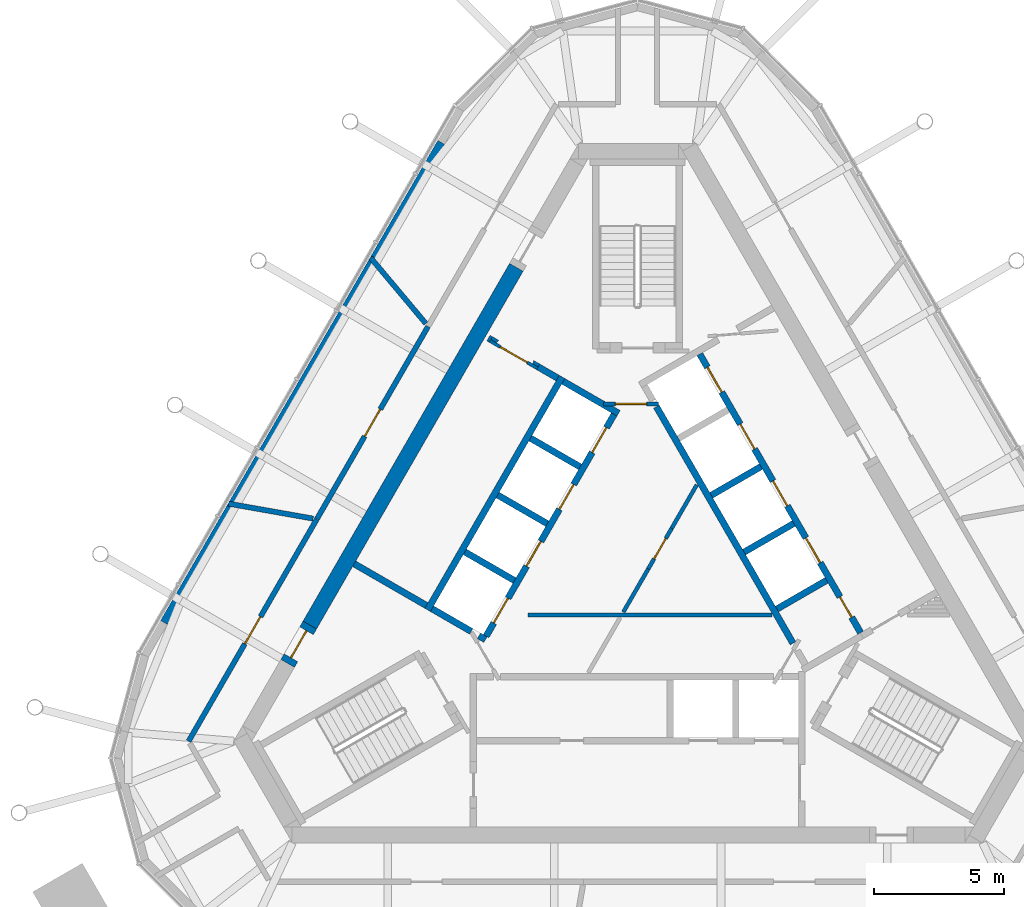
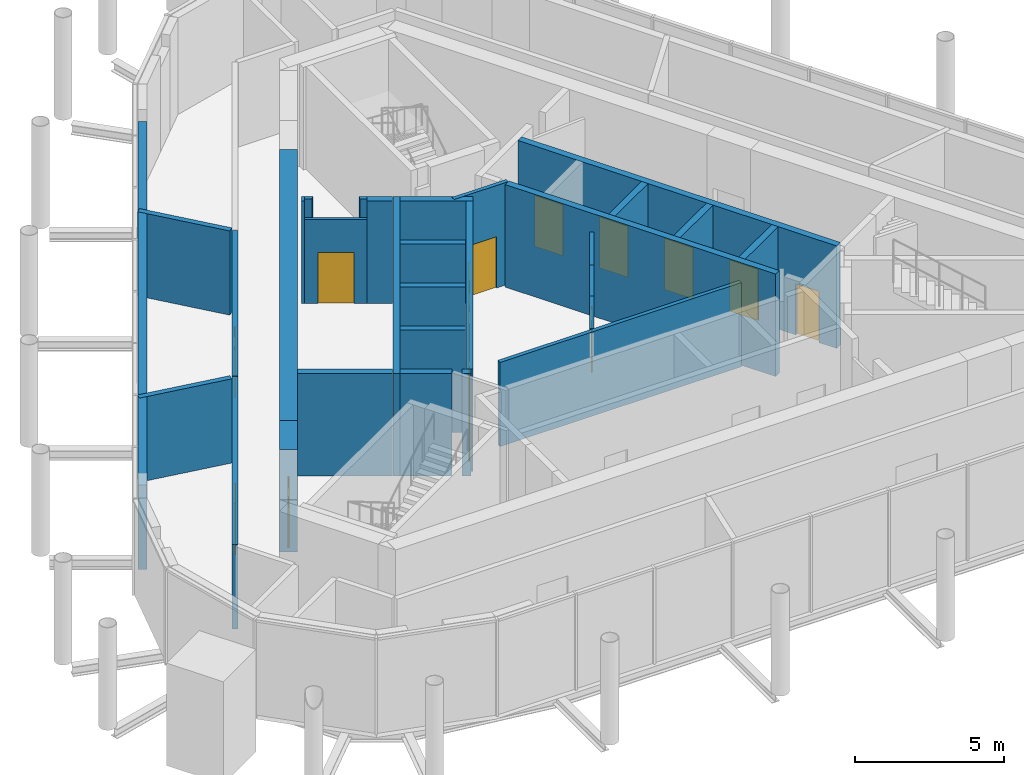
# One storey, part 8 of 11: 31 walls, 15 doors, 15 openings.
"""IFC4 building model written with IfcOpenShell, lengths in metres."""

from ifc_helpers import new_model, si_unit, direction, frame, frame_2d, origin, place, context, subcontext, project, spatial, polyline, rectangle, outline, extrude, material, layer, layer_set, type_object, element, fill, save


model = new_model("IFC4")

# Units and contexts
model_context = context("Model", 3, precision=1e-05, world=origin(), true_north=direction((0.0, 1.0)))
body_context = subcontext(model_context, "Body", "Model", "MODEL_VIEW")
ifc_project = project(units=[si_unit("LENGTHUNIT", "METRE"), si_unit("AREAUNIT", "SQUARE_METRE"), si_unit("VOLUMEUNIT", "CUBIC_METRE"), si_unit("PLANEANGLEUNIT", "RADIAN"), si_unit("MASSUNIT", "GRAM", prefix="KILO")], contexts=[model_context])

# Site, building, storey
site_placement = place(None, origin())
site = spatial("IfcSite", under=ifc_project, at=site_placement, CompositionType="ELEMENT")
building_placement = place(site_placement, origin())
building = spatial("IfcBuilding", under=site, at=building_placement, Name="Mestral Congress Tower", CompositionType="ELEMENT")
storey_placement = place(building_placement, frame((0.0, 0.0, 331.800048828125)))
storey = spatial("IfcBuildingStorey", under=building, at=storey_placement, Name="L77", CompositionType="ELEMENT", Elevation=331.800048828125)

# Walls
ifc_material_1 = material(Name="Fire-rated board partition")
ifc_layer_1 = layer(ifc_material_1, 0.14990234375)
ifc_layer_set_1 = layer_set([ifc_layer_1], Name="Fire-rated board partition")
wall_type_1 = type_object("IfcWallType", Name="Core partition 150", PredefinedType="PARTITIONING", material=ifc_layer_set_1)
wall_1_placement = place(storey_placement, frame((-4.199951171875, -1.5, 0.0), z_axis=(0.0, 0.0, 1.0), x_axis=(1.0, 0.0, 0.0)))
element("IfcWall", 1, at=wall_1_placement, inside=storey, type_object=wall_type_1, Name="L77 core wall", PredefinedType="PARTITIONING", context=body_context, shape_type="SweptSolid", body=[
    extrude(rectangle(XDim=9.359375, YDim=0.14990234375, at=frame_2d((4.6796875, 0.0))), origin(), (0.0, 0.0, 1.0), 3.449951171875),
])
wall_2_placement = place(storey_placement, frame((-0.54443359375, -1.393310546875, 0.0), z_axis=(0.0, 0.0, 1.0), x_axis=(0.499928740635, 0.866066541489, 0.0)))
element("IfcWall", 2, at=wall_2_placement, inside=storey, type_object=wall_type_1, Name="L77 core wall", PredefinedType="PARTITIONING", context=body_context, shape_type="SweptSolid", body=[
    extrude(rectangle(XDim=1.912353515625, YDim=0.14990234375, at=frame_2d((0.9560546875, 0.0))), origin(), (0.0, 0.0, 1.0), 3.449951171875),
])
wall_3_placement = place(storey_placement, frame((1.311767578125, 1.822021484375, 0.0), z_axis=(0.0, 0.0, 1.0), x_axis=(0.500003549559, 0.866023354436, 0.0)))
element("IfcWall", 3, at=wall_3_placement, inside=storey, type_object=wall_type_1, Name="L77 core wall", PredefinedType="PARTITIONING", context=body_context, shape_type="SweptSolid", body=[
    extrude(rectangle(XDim=1.9296875, YDim=0.14990234375, at=frame_2d((0.96484375, 0.0))), origin(), (0.0, 0.0, 1.0), 3.449951171875),
])

# Wall, opening, door
wall_4_placement = place(storey_placement, frame((0.41162109375, 0.26318359375, 0.0), z_axis=(0.0, 0.0, 1.0), x_axis=(0.500062916607, 0.865989075817, 0.0)))
wall_4 = element("IfcWall", 4, at=wall_4_placement, inside=storey, type_object=wall_type_1, Name="L77 door wall", PredefinedType="PARTITIONING", context=body_context, shape_type="SweptSolid", body=[
    extrude(rectangle(XDim=1.800048828125, YDim=0.14990234375, at=frame_2d((0.89990234375, 0.0))), origin(), (0.0, 0.0, 1.0), 3.449951171875),
])
opening_1_placement = place(wall_4_placement, frame((0.449951171875, 0.0, 0.0)))
opening_1 = element("IfcOpeningElement", 5, at=opening_1_placement, cuts=wall_4, Name="Opening SD-HUB1", PredefinedType="OPENING", context=body_context, shape_type="SweptSolid", body=[
    extrude(rectangle(XDim=0.89990234375, YDim=2.10009765625, at=frame_2d((0.449951171875, 1.050048828125))), frame((0.0, 0.0849609375, 0.0), z_axis=(0.0, -1.0, 0.0), x_axis=(1.0, 0.0, 0.0)), (0.0, 0.0, 1.0), 0.169921875),
])
ifc_material_2 = material(Name="Fire-rated steel door set", Category="steel")
door_type_1 = type_object("IfcDoorType", Name="Core door SR 900x2100", OperationType="SINGLE_SWING_LEFT", PredefinedType="DOOR", material=ifc_material_2)
door_1_placement = place(opening_1_placement, origin())
door_1 = element("IfcDoor", 6, at=door_1_placement, inside=storey, type_object=door_type_1, Name="Door SD-HUB1", OperationType="SINGLE_SWING_LEFT", OverallHeight=2.10009765625, OverallWidth=0.89990234375, PredefinedType="DOOR", context=body_context, shape_type="SweptSolid", body=[
    extrude(rectangle(XDim=0.89990234375, YDim=2.10009765625, at=frame_2d((0.449951171875, 1.050048828125))), frame((0.0, 0.02490234375, 0.0), z_axis=(0.0, -1.0, 0.0), x_axis=(1.0, 0.0, 0.0)), (0.0, 0.0, 1.0), 0.050048828125),
])
fill(opening_1, door_1)

ifc_layer_2 = layer(ifc_material_1, 0.1201171875)
ifc_layer_set_2 = layer_set([ifc_layer_2], Name="Fire-rated board partition")
wall_type_2 = type_object("IfcWallType", Name="Core partition 150 door-wall 120", PredefinedType="PARTITIONING", material=ifc_layer_set_2)
wall_5_placement = place(storey_placement, frame((-5.65869140625, 9.01171875, 0.0), z_axis=(0.0, 0.0, 1.0), x_axis=(0.866009402589, -0.500027713859, 0.0)))
wall_5 = element("IfcWall", 7, at=wall_5_placement, inside=storey, type_object=wall_type_2, Name="L77 door wall", PredefinedType="PARTITIONING", context=body_context, shape_type="SweptSolid", body=[
    extrude(rectangle(XDim=2.10009765625, YDim=0.1201171875, at=frame_2d((1.050048828125, 0.0))), origin(), (0.0, 0.0, 1.0), 3.449951171875),
])
opening_2_placement = place(wall_5_placement, frame((0.449951171875, 0.0, 0.0)))
opening_2 = element("IfcOpeningElement", 8, at=opening_2_placement, cuts=wall_5, Name="Opening LB2-WL2", PredefinedType="OPENING", context=body_context, shape_type="SweptSolid", body=[
    extrude(rectangle(XDim=1.199951171875, YDim=2.10009765625, at=frame_2d((0.60009765625, 1.050048828125))), frame((0.0, 0.070068359375, 0.0), z_axis=(0.0, -1.0, 0.0), x_axis=(1.0, 0.0, 0.0)), (0.0, 0.0, 1.0), 0.14013671875),
])
door_type_2 = type_object("IfcDoorType", Name="Core door LB 1200x2100", OperationType="SINGLE_SWING_LEFT", PredefinedType="DOOR", material=ifc_material_2)
door_2_placement = place(opening_2_placement, origin())
door_2 = element("IfcDoor", 9, at=door_2_placement, inside=storey, type_object=door_type_2, Name="Door LB2-WL2", OperationType="SINGLE_SWING_LEFT", OverallHeight=2.10009765625, OverallWidth=1.199951171875, PredefinedType="DOOR", context=body_context, shape_type="SweptSolid", body=[
    extrude(rectangle(XDim=1.199951171875, YDim=2.10009765625, at=frame_2d((0.60009765625, 1.050048828125))), frame((0.0, 0.02490234375, 0.0), z_axis=(0.0, -1.0, 0.0), x_axis=(1.0, 0.0, 0.0)), (0.0, 0.0, 1.0), 0.050048828125),
])
fill(opening_2, door_2)

# Wall
ifc_material_3 = material(Name="Concrete C60/75", Category="concrete")
ifc_layer_3 = layer(ifc_material_3, 0.60009765625)
ifc_layer_set_3 = layer_set([ifc_layer_3], Name="Concrete C60/75")
wall_type_3 = type_object("IfcWallType", Name="Core wall RC 600", PredefinedType="SOLIDWALL", material=ifc_layer_set_3)
wall_6_placement = place(storey_placement, frame((-4.65234375, 11.841796875, 0.0), z_axis=(0.0, 0.0, 1.0), x_axis=(-0.500003640647, -0.866023301845, 0.0)))
element("IfcWall", 10, at=wall_6_placement, inside=storey, type_object=wall_type_3, Name="L77 core wall", PredefinedType="SOLIDWALL", context=body_context, shape_type="SweptSolid", body=[
    extrude(rectangle(XDim=15.8583984375, YDim=0.60009765625, at=frame_2d((7.92919921875, 0.0))), origin(), (0.0, 0.0, 1.0), 4.199951171875),
])

# Wall, opening, door
wall_7_placement = place(storey_placement, frame((-13.431640625, -3.3642578125, 0.0), z_axis=(0.0, 0.0, 1.0), x_axis=(0.500000056704, 0.866025371046, 0.0)))
wall_7 = element("IfcWall", 11, at=wall_7_placement, inside=storey, type_object=wall_type_3, Name="L77 door wall", PredefinedType="SOLIDWALL", context=body_context, shape_type="SweptSolid", body=[
    extrude(rectangle(XDim=1.7001953125, YDim=0.60009765625, at=frame_2d((0.85009765625, 0.0))), origin(), (0.0, 0.0, 1.0), 4.199951171875),
])
opening_3_placement = place(wall_7_placement, frame((0.25, 0.0, 0.0)))
opening_3 = element("IfcOpeningElement", 12, at=opening_3_placement, cuts=wall_7, Name="Opening XD3", PredefinedType="OPENING", context=body_context, shape_type="SweptSolid", body=[
    extrude(rectangle(XDim=1.199951171875, YDim=2.10009765625, at=frame_2d((0.60009765625, 1.050048828125))), frame((0.0, 0.31005859375, 0.0), z_axis=(0.0, -1.0, 0.0), x_axis=(1.0, 0.0, 0.0)), (0.0, 0.0, 1.0), 0.6201171875),
])
door_type_3 = type_object("IfcDoorType", Name="Core door XD 1200x2100", OperationType="SINGLE_SWING_LEFT", PredefinedType="DOOR", material=ifc_material_2)
door_3_placement = place(opening_3_placement, origin())
door_3 = element("IfcDoor", 13, at=door_3_placement, inside=storey, type_object=door_type_3, Name="Door XD3", OperationType="SINGLE_SWING_LEFT", OverallHeight=2.10009765625, OverallWidth=1.199951171875, PredefinedType="DOOR", context=body_context, shape_type="SweptSolid", body=[
    extrude(rectangle(XDim=1.199951171875, YDim=2.10009765625, at=frame_2d((0.60009765625, 1.050048828125))), frame((0.0, 0.02490234375, 0.0), z_axis=(0.0, -1.0, 0.0), x_axis=(1.0, 0.0, 0.0)), (0.0, 0.0, 1.0), 0.050048828125),
])
fill(opening_3, door_3)

# Walls
ifc_material_4 = material(Name="Precast concrete C40/50 with limestone facing", Category="masonry")
ifc_layer_4 = layer(ifc_material_4, 0.300048828125)
ifc_layer_set_4 = layer_set([ifc_layer_4], Name="Precast concrete C40/50 with limestone facing")
wall_type_4 = type_object("IfcWallType", Name="Crown plant block wall 300 under girder", PredefinedType="SOLIDWALL", material=ifc_layer_set_4)
wall_8_placement = place(storey_placement, frame((-7.5400390625, 16.64013671875, 0.0), z_axis=(0.0, 0.0, 1.0), x_axis=(-0.500002158106, -0.866024157798, 0.0)))
element("IfcWall", 14, at=wall_8_placement, inside=storey, type_object=wall_type_4, Name="Plant block wall 10", PredefinedType="SOLIDWALL", context=body_context, shape_type="SweptSolid", body=[
    extrude(rectangle(XDim=21.28173828125, YDim=0.300048828125, at=frame_2d((10.640869140625, 0.0))), origin(), (0.0, 0.0, 1.0), 3.449951171875),
])
ifc_layer_5 = layer(ifc_material_3, 0.25)
ifc_layer_set_5 = layer_set([ifc_layer_5], Name="Concrete C60/75")
wall_type_5 = type_object("IfcWallType", Name="Shaft wall RC 250", PredefinedType="SOLIDWALL", material=ifc_layer_set_5)
wall_9_placement = place(storey_placement, frame((5.970458984375, -2.591064453125, 0.0), z_axis=(0.0, 0.0, 1.0), x_axis=(-0.499994469932, 0.866028596547, 0.0)))
element("IfcWall", 15, at=wall_9_placement, inside=storey, type_object=wall_type_5, Name="L77 core wall", PredefinedType="SOLIDWALL", context=body_context, shape_type="SweptSolid", body=[
    extrude(rectangle(XDim=10.48828125, YDim=0.25, at=frame_2d((5.244140625, 0.0))), origin(), (0.0, 0.0, 1.0), 4.199951171875),
])
for number, where, z_axis, x_axis, name in (
    (16, (2.833984375, 3.091064453125, 0.0), (0.0, 0.0, 1.0), (0.866008176907, 0.50002983664, 0.0), "L77 core wall"),
    (17, (4.093994140625, 0.90869140625, 0.0), (0.0, 0.0, 1.0), (0.866008176907, 0.50002983664, 0.0), "L77 core wall"),
    (18, (5.35400390625, -1.273681640625, 0.0), (0.0, 0.0, 1.0), (0.866008176907, 0.50002983664, 0.0), "L77 core wall"),
):
    element("IfcWall", number, at=place(storey_placement, frame(where, z_axis=z_axis, x_axis=x_axis)), inside=storey, type_object=wall_type_5, Name=name, PredefinedType="SOLIDWALL", context=body_context, shape_type="SweptSolid", body=[
        extrude(rectangle(XDim=2.199951171875, YDim=0.25, at=frame_2d((1.10009765625, 0.0))), origin(), (0.0, 0.0, 1.0), 4.199951171875),
    ])
wall_10_placement = place(storey_placement, frame((-8.06005859375, -1.310546875, 0.0), z_axis=(0.0, 0.0, 1.0), x_axis=(0.50000273126, 0.866023826885, 0.0)))
element("IfcWall", 19, at=wall_10_placement, inside=storey, type_object=wall_type_5, Name="L77 core wall", PredefinedType="SOLIDWALL", context=body_context, shape_type="SweptSolid", body=[
    extrude(rectangle(XDim=10.330078125, YDim=0.25, at=frame_2d((5.1650390625, 0.0))), origin(), (0.0, 0.0, 1.0), 4.199951171875),
])
placement = place(storey_placement, origin())
element("IfcWall", 20, at=placement, inside=storey, type_object=wall_type_5, Name="L77 core wall", PredefinedType="SOLIDWALL", context=body_context, shape_type="SweptSolid", body=[
    extrude(outline(polyline([(-2.911865234375, 7.3564453125), (-2.786865234375, 7.572998046875), (-1.231689453125, 6.675048828125), (-1.303466796875, 6.675048828125), (-1.3037109375, 6.675048828125), (-1.3037109375, 6.675048828125), (-1.3037109375, 6.52490234375), (-1.3037109375, 6.52490234375), (-1.303466796875, 6.52490234375), (-0.971435546875, 6.52490234375), (-0.6650390625, 6.347900390625), (-0.7900390625, 6.131591796875), (-1.006591796875, 6.256591796875), (-1.006591796875, 6.256591796875), (-2.911865234375, 7.3564453125)])), origin(), (0.0, 0.0, 1.0), 4.199951171875),
])
for number, where, z_axis, x_axis, name in (
    (21, (-2.2041015625, 4.182373046875, 0.0), (0.0, 0.0, 1.0), (-0.866008176907, 0.50002983664, 0.0), "L77 core wall"),
    (22, (-5.369384765625, 3.10009765625, 0.0), (0.0, 0.0, 1.0), (0.866008176907, -0.50002983664, 0.0), "L77 core wall"),
    (23, (-4.72412109375, -0.182373046875, 0.0), (0.0, 0.0, 1.0), (-0.866008176907, 0.50002983664, 0.0), "L77 core wall"),
):
    element("IfcWall", number, at=place(storey_placement, frame(where, z_axis=z_axis, x_axis=x_axis)), inside=storey, type_object=wall_type_5, Name=name, PredefinedType="SOLIDWALL", context=body_context, shape_type="SweptSolid", body=[
        extrude(rectangle(XDim=2.199951171875, YDim=0.25, at=frame_2d((1.10009765625, 0.0))), origin(), (0.0, 0.0, 1.0), 4.199951171875),
    ])
wall_12_placement = place(storey_placement, frame((-6.088134765625, -2.3046875, 0.0), z_axis=(0.0, 0.0, 1.0), x_axis=(0.866059450854, -0.499941024108, 0.0)))
element("IfcWall", 24, at=wall_12_placement, inside=storey, type_object=wall_type_5, Name="L77 core wall", PredefinedType="SOLIDWALL", context=body_context, shape_type="SweptSolid", body=[
    extrude(rectangle(XDim=0.2900390625, YDim=0.25, at=frame_2d((0.14501953125, 0.0))), origin(), (0.0, 0.0, 1.0), 4.199951171875),
])
wall_13_placement = place(storey_placement, frame((-7.889404296875, -1.2646484375, 0.0), z_axis=(0.0, 0.0, 1.0), x_axis=(0.865986741702, -0.500066958712, 0.0)))
element("IfcWall", 25, at=wall_13_placement, inside=storey, type_object=wall_type_5, Name="L77 core wall", PredefinedType="SOLIDWALL", context=body_context, shape_type="SweptSolid", body=[
    extrude(rectangle(XDim=1.738037109375, YDim=0.25, at=frame_2d((0.869140625, 0.0))), origin(), (0.0, 0.0, 1.0), 4.199951171875),
])
wall_14_placement = place(storey_placement, frame((-8.10595703125, -1.139892578125, 0.0), z_axis=(0.0, 0.0, 1.0), x_axis=(-0.866008981251, 0.500028443584, 0.0)))
element("IfcWall", 26, at=wall_14_placement, inside=storey, type_object=wall_type_5, Name="L77 core wall", PredefinedType="SOLIDWALL", context=body_context, shape_type="SweptSolid", body=[
    extrude(rectangle(XDim=3.199951171875, YDim=0.25, at=frame_2d((1.60009765625, 0.0))), origin(), (0.0, 0.0, 1.0), 4.199951171875),
])
wall_15_placement = place(storey_placement, frame((-5.724609375, 9.124755859375, 0.0), z_axis=(0.0, 0.0, 1.0), x_axis=(0.866185586049, -0.49972245349, 0.0)))
element("IfcWall", 27, at=wall_15_placement, inside=storey, type_object=wall_type_5, Name="L77 core wall", PredefinedType="SOLIDWALL", context=body_context, shape_type="SweptSolid", body=[
    extrude(rectangle(XDim=0.10986328125, YDim=0.25, at=frame_2d((0.054931640625, 0.0))), origin(), (0.0, 0.0, 1.0), 4.199951171875),
])
wall_16_placement = place(storey_placement, frame((-3.06591796875, 7.58984375, 0.0), z_axis=(0.0, 0.0, 1.0), x_axis=(-0.866081358704, 0.49990307071, 0.0)))
element("IfcWall", 28, at=wall_16_placement, inside=storey, type_object=wall_type_5, Name="L77 core wall", PredefinedType="SOLIDWALL", context=body_context, shape_type="SweptSolid", body=[
    extrude(rectangle(XDim=0.858154296875, YDim=0.25, at=frame_2d((0.42919921875, 0.0))), origin(), (0.0, 0.0, 1.0), 4.199951171875),
])
element("IfcWall", 29, at=placement, inside=storey, type_object=wall_type_5, Name="L77 core wall", PredefinedType="SOLIDWALL", context=body_context, shape_type="SweptSolid", body=[
    extrude(outline(polyline([(-3.748291015625, 8.1279296875), (-3.813232421875, 8.015380859375), (-4.026611328125, 8.138671875), (-4.0166015625, 8.156005859375), (-4.007568359375, 8.17333984375), (-4.000244140625, 8.191650390625), (-3.994873046875, 8.21044921875), (-3.991455078125, 8.229736328125), (-3.98974609375, 8.24951171875), (-3.989990234375, 8.267578125), (-3.748291015625, 8.1279296875)])), origin(), (0.0, 0.0, 1.0), 4.199951171875),
])
element("IfcWall", 30, at=placement, inside=storey, type_object=wall_type_5, Name="L77 core wall", PredefinedType="SOLIDWALL", context=body_context, shape_type="SweptSolid", body=[
    extrude(outline(polyline([(-5.688720703125, 8.959716796875), (-5.690185546875, 8.960693359375), (-5.565185546875, 9.177001953125), (-5.318603515625, 9.03466796875), (-5.334716796875, 9.02587890625), (-5.3505859375, 9.0146484375), (-5.36572265625, 9.001953125), (-5.37939453125, 8.98779296875), (-5.3916015625, 8.972412109375), (-5.402099609375, 8.955810546875), (-5.412109375, 8.938720703125), (-5.628662109375, 9.063720703125), (-5.628662109375, 9.063720703125), (-5.688720703125, 8.959716796875)])), origin(), (0.0, 0.0, 1.0), 4.199951171875),
])

# Wall, openings, doors
wall_19_placement = place(storey_placement, frame((8.565185546875, -2.185302734375, 0.0), z_axis=(0.0, 0.0, 1.0), x_axis=(-0.499997954832, 0.866026584559, 0.0)))
wall_19 = element("IfcWall", 31, at=wall_19_placement, inside=storey, type_object=wall_type_5, Name="L77 door wall", PredefinedType="SOLIDWALL", context=body_context, shape_type="SweptSolid", body=[
    extrude(rectangle(XDim=12.35009765625, YDim=0.25, at=frame_2d((6.175048828125, 0.0))), origin(), (0.0, 0.0, 1.0), 4.199951171875),
])
opening_4_placement = place(wall_19_placement, frame((0.68505859375, 0.0, 0.0)))
opening_4 = element("IfcOpeningElement", 32, at=opening_4_placement, cuts=wall_19, Name="Opening SR-NEB1", PredefinedType="OPENING", context=body_context, shape_type="SweptSolid", body=[
    extrude(rectangle(XDim=0.89990234375, YDim=2.10009765625, at=frame_2d((0.449951171875, 1.050048828125))), frame((0.0, 0.135009765625, 0.0), z_axis=(0.0, -1.0, 0.0), x_axis=(1.0, 0.0, 0.0)), (0.0, 0.0, 1.0), 0.27001953125),
])
opening_5_placement = place(wall_19_placement, frame((3.10498046875, 0.0, 0.0)))
opening_5 = element("IfcOpeningElement", 33, at=opening_5_placement, cuts=wall_19, Name="Opening LD-NEB2", PredefinedType="OPENING", context=body_context, shape_type="SweptSolid", body=[
    extrude(rectangle(XDim=1.10009765625, YDim=2.10009765625, at=frame_2d((0.550048828125, 1.050048828125))), frame((0.0, 0.135009765625, 0.0), z_axis=(0.0, -1.0, 0.0), x_axis=(1.0, 0.0, 0.0)), (0.0, 0.0, 1.0), 0.27001953125),
])
opening_6_placement = place(wall_19_placement, frame((5.625, 0.0, 0.0)))
opening_6 = element("IfcOpeningElement", 34, at=opening_6_placement, cuts=wall_19, Name="Opening LD-NEB3", PredefinedType="OPENING", context=body_context, shape_type="SweptSolid", body=[
    extrude(rectangle(XDim=1.10009765625, YDim=2.10009765625, at=frame_2d((0.550048828125, 1.050048828125))), frame((0.0, 0.135009765625, 0.0), z_axis=(0.0, -1.0, 0.0), x_axis=(1.0, 0.0, 0.0)), (0.0, 0.0, 1.0), 0.27001953125),
])
opening_7_placement = place(wall_19_placement, frame((8.14501953125, 0.0, 0.0)))
opening_7 = element("IfcOpeningElement", 35, at=opening_7_placement, cuts=wall_19, Name="Opening LD-NEB4", PredefinedType="OPENING", context=body_context, shape_type="SweptSolid", body=[
    extrude(rectangle(XDim=1.10009765625, YDim=2.10009765625, at=frame_2d((0.550048828125, 1.050048828125))), frame((0.0, 0.135009765625, 0.0), z_axis=(0.0, -1.0, 0.0), x_axis=(1.0, 0.0, 0.0)), (0.0, 0.0, 1.0), 0.27001953125),
])
opening_8_placement = place(wall_19_placement, frame((10.6650390625, 0.0, 0.0)))
opening_8 = element("IfcOpeningElement", 36, at=opening_8_placement, cuts=wall_19, Name="Opening LD-NEB5", PredefinedType="OPENING", context=body_context, shape_type="SweptSolid", body=[
    extrude(rectangle(XDim=1.10009765625, YDim=2.10009765625, at=frame_2d((0.550048828125, 1.050048828125))), frame((0.0, 0.135009765625, 0.0), z_axis=(0.0, -1.0, 0.0), x_axis=(1.0, 0.0, 0.0)), (0.0, 0.0, 1.0), 0.27001953125),
])
door_type_4 = type_object("IfcDoorType", Name="Core door LD 1100x2100", OperationType="DOUBLE_DOOR_SLIDING", PredefinedType="DOOR", material=ifc_material_2)
door_4_placement = place(opening_5_placement, origin())
door_4 = element("IfcDoor", 37, at=door_4_placement, inside=storey, type_object=door_type_4, Name="Door LD-NEB2", OperationType="DOUBLE_DOOR_SLIDING", OverallHeight=2.10009765625, OverallWidth=1.10009765625, PredefinedType="DOOR", context=body_context, shape_type="SweptSolid", body=[
    extrude(rectangle(XDim=1.10009765625, YDim=2.10009765625, at=frame_2d((0.550048828125, 1.050048828125))), frame((0.0, 0.02490234375, 0.0), z_axis=(0.0, -1.0, 0.0), x_axis=(1.0, 0.0, 0.0)), (0.0, 0.0, 1.0), 0.050048828125),
])
fill(opening_5, door_4)
door_5_placement = place(opening_6_placement, origin())
door_5 = element("IfcDoor", 38, at=door_5_placement, inside=storey, type_object=door_type_4, Name="Door LD-NEB3", OperationType="DOUBLE_DOOR_SLIDING", OverallHeight=2.10009765625, OverallWidth=1.10009765625, PredefinedType="DOOR", context=body_context, shape_type="SweptSolid", body=[
    extrude(rectangle(XDim=1.10009765625, YDim=2.10009765625, at=frame_2d((0.550048828125, 1.050048828125))), frame((0.0, 0.02490234375, 0.0), z_axis=(0.0, -1.0, 0.0), x_axis=(1.0, 0.0, 0.0)), (0.0, 0.0, 1.0), 0.050048828125),
])
fill(opening_6, door_5)
door_6_placement = place(opening_7_placement, origin())
door_6 = element("IfcDoor", 39, at=door_6_placement, inside=storey, type_object=door_type_4, Name="Door LD-NEB4", OperationType="DOUBLE_DOOR_SLIDING", OverallHeight=2.10009765625, OverallWidth=1.10009765625, PredefinedType="DOOR", context=body_context, shape_type="SweptSolid", body=[
    extrude(rectangle(XDim=1.10009765625, YDim=2.10009765625, at=frame_2d((0.550048828125, 1.050048828125))), frame((0.0, 0.02490234375, 0.0), z_axis=(0.0, -1.0, 0.0), x_axis=(1.0, 0.0, 0.0)), (0.0, 0.0, 1.0), 0.050048828125),
])
fill(opening_7, door_6)
door_7_placement = place(opening_8_placement, origin())
door_7 = element("IfcDoor", 40, at=door_7_placement, inside=storey, type_object=door_type_4, Name="Door LD-NEB5", OperationType="DOUBLE_DOOR_SLIDING", OverallHeight=2.10009765625, OverallWidth=1.10009765625, PredefinedType="DOOR", context=body_context, shape_type="SweptSolid", body=[
    extrude(rectangle(XDim=1.10009765625, YDim=2.10009765625, at=frame_2d((0.550048828125, 1.050048828125))), frame((0.0, 0.02490234375, 0.0), z_axis=(0.0, -1.0, 0.0), x_axis=(1.0, 0.0, 0.0)), (0.0, 0.0, 1.0), 0.050048828125),
])
fill(opening_8, door_7)
door_8_placement = place(opening_4_placement, origin())
door_8 = element("IfcDoor", 41, at=door_8_placement, inside=storey, type_object=door_type_1, Name="Door SR-NEB1", OperationType="SINGLE_SWING_LEFT", OverallHeight=2.10009765625, OverallWidth=0.89990234375, PredefinedType="DOOR", context=body_context, shape_type="SweptSolid", body=[
    extrude(rectangle(XDim=0.89990234375, YDim=2.10009765625, at=frame_2d((0.449951171875, 1.050048828125))), frame((0.0, 0.02490234375, 0.0), z_axis=(0.0, -1.0, 0.0), x_axis=(1.0, 0.0, 0.0)), (0.0, 0.0, 1.0), 0.050048828125),
])
fill(opening_4, door_8)

wall_20_placement = place(storey_placement, frame((-0.898193359375, 6.194091796875, 0.0), z_axis=(0.0, 0.0, 1.0), x_axis=(-0.499996202215, -0.866027596426, 0.0)))
wall_20 = element("IfcWall", 42, at=wall_20_placement, inside=storey, type_object=wall_type_5, Name="L77 door wall", PredefinedType="SOLIDWALL", context=body_context, shape_type="SweptSolid", body=[
    extrude(rectangle(XDim=9.830078125, YDim=0.25, at=frame_2d((4.9150390625, 0.0))), origin(), (0.0, 0.0, 1.0), 4.199951171875),
])
opening_9_placement = place(wall_20_placement, frame((0.5849609375, 0.0, 0.0)))
opening_9 = element("IfcOpeningElement", 43, at=opening_9_placement, cuts=wall_20, Name="Opening LD-NWB1", PredefinedType="OPENING", context=body_context, shape_type="SweptSolid", body=[
    extrude(rectangle(XDim=1.10009765625, YDim=2.10009765625, at=frame_2d((0.550048828125, 1.050048828125))), frame((0.0, 0.135009765625, 0.0), z_axis=(0.0, -1.0, 0.0), x_axis=(1.0, 0.0, 0.0)), (0.0, 0.0, 1.0), 0.27001953125),
])
opening_10_placement = place(wall_20_placement, frame((3.10498046875, 0.0, 0.0)))
opening_10 = element("IfcOpeningElement", 44, at=opening_10_placement, cuts=wall_20, Name="Opening LD-NWB2", PredefinedType="OPENING", context=body_context, shape_type="SweptSolid", body=[
    extrude(rectangle(XDim=1.10009765625, YDim=2.10009765625, at=frame_2d((0.550048828125, 1.050048828125))), frame((0.0, 0.135009765625, 0.0), z_axis=(0.0, -1.0, 0.0), x_axis=(1.0, 0.0, 0.0)), (0.0, 0.0, 1.0), 0.27001953125),
])
opening_11_placement = place(wall_20_placement, frame((5.625, 0.0, 0.0)))
opening_11 = element("IfcOpeningElement", 45, at=opening_11_placement, cuts=wall_20, Name="Opening LD-NWB3", PredefinedType="OPENING", context=body_context, shape_type="SweptSolid", body=[
    extrude(rectangle(XDim=1.10009765625, YDim=2.10009765625, at=frame_2d((0.550048828125, 1.050048828125))), frame((0.0, 0.135009765625, 0.0), z_axis=(0.0, -1.0, 0.0), x_axis=(1.0, 0.0, 0.0)), (0.0, 0.0, 1.0), 0.27001953125),
])
opening_12_placement = place(wall_20_placement, frame((8.14501953125, 0.0, 0.0)))
opening_12 = element("IfcOpeningElement", 46, at=opening_12_placement, cuts=wall_20, Name="Opening LD-NWB4", PredefinedType="OPENING", context=body_context, shape_type="SweptSolid", body=[
    extrude(rectangle(XDim=1.10009765625, YDim=2.10009765625, at=frame_2d((0.550048828125, 1.050048828125))), frame((0.0, 0.135009765625, 0.0), z_axis=(0.0, -1.0, 0.0), x_axis=(1.0, 0.0, 0.0)), (0.0, 0.0, 1.0), 0.27001953125),
])
door_9_placement = place(opening_9_placement, origin())
door_9 = element("IfcDoor", 47, at=door_9_placement, inside=storey, type_object=door_type_4, Name="Door LD-NWB1", OperationType="DOUBLE_DOOR_SLIDING", OverallHeight=2.10009765625, OverallWidth=1.10009765625, PredefinedType="DOOR", context=body_context, shape_type="SweptSolid", body=[
    extrude(rectangle(XDim=1.10009765625, YDim=2.10009765625, at=frame_2d((0.550048828125, 1.050048828125))), frame((0.0, 0.02490234375, 0.0), z_axis=(0.0, -1.0, 0.0), x_axis=(1.0, 0.0, 0.0)), (0.0, 0.0, 1.0), 0.050048828125),
])
fill(opening_9, door_9)
door_10_placement = place(opening_10_placement, origin())
door_10 = element("IfcDoor", 48, at=door_10_placement, inside=storey, type_object=door_type_4, Name="Door LD-NWB2", OperationType="DOUBLE_DOOR_SLIDING", OverallHeight=2.10009765625, OverallWidth=1.10009765625, PredefinedType="DOOR", context=body_context, shape_type="SweptSolid", body=[
    extrude(rectangle(XDim=1.10009765625, YDim=2.10009765625, at=frame_2d((0.550048828125, 1.050048828125))), frame((0.0, 0.02490234375, 0.0), z_axis=(0.0, -1.0, 0.0), x_axis=(1.0, 0.0, 0.0)), (0.0, 0.0, 1.0), 0.050048828125),
])
fill(opening_10, door_10)
door_11_placement = place(opening_11_placement, origin())
door_11 = element("IfcDoor", 49, at=door_11_placement, inside=storey, type_object=door_type_4, Name="Door LD-NWB3", OperationType="DOUBLE_DOOR_SLIDING", OverallHeight=2.10009765625, OverallWidth=1.10009765625, PredefinedType="DOOR", context=body_context, shape_type="SweptSolid", body=[
    extrude(rectangle(XDim=1.10009765625, YDim=2.10009765625, at=frame_2d((0.550048828125, 1.050048828125))), frame((0.0, 0.02490234375, 0.0), z_axis=(0.0, -1.0, 0.0), x_axis=(1.0, 0.0, 0.0)), (0.0, 0.0, 1.0), 0.050048828125),
])
fill(opening_11, door_11)
door_12_placement = place(opening_12_placement, origin())
door_12 = element("IfcDoor", 50, at=door_12_placement, inside=storey, type_object=door_type_4, Name="Door LD-NWB4", OperationType="DOUBLE_DOOR_SLIDING", OverallHeight=2.10009765625, OverallWidth=1.10009765625, PredefinedType="DOOR", context=body_context, shape_type="SweptSolid", body=[
    extrude(rectangle(XDim=1.10009765625, YDim=2.10009765625, at=frame_2d((0.550048828125, 1.050048828125))), frame((0.0, 0.02490234375, 0.0), z_axis=(0.0, -1.0, 0.0), x_axis=(1.0, 0.0, 0.0)), (0.0, 0.0, 1.0), 0.050048828125),
])
fill(opening_12, door_12)

# Wall, opening, door
ifc_layer_6 = layer(ifc_material_3, 0.14990234375)
ifc_layer_set_6 = layer_set([ifc_layer_6], Name="Concrete C60/75")
wall_type_6 = type_object("IfcWallType", Name="Shaft wall RC 250 door-wall 150", PredefinedType="SOLIDWALL", material=ifc_layer_set_6)
wall_21_placement = place(storey_placement, frame((-1.303466796875, 6.60009765625, 0.0), z_axis=(0.0, 0.0, 1.0), x_axis=(1.0, 0.0, 0.0)))
wall_21 = element("IfcWall", 51, at=wall_21_placement, inside=storey, type_object=wall_type_6, Name="L77 door wall", PredefinedType="PARTITIONING", context=body_context, shape_type="SweptSolid", body=[
    extrude(rectangle(XDim=2.099853515625, YDim=0.14990234375, at=frame_2d((1.0498046875, 0.0))), origin(), (0.0, 0.0, 1.0), 4.199951171875),
])
opening_13_placement = place(wall_21_placement, frame((0.449951171875, 0.0, 0.0)))
opening_13 = element("IfcOpeningElement", 52, at=opening_13_placement, cuts=wall_21, Name="Opening CD2-FF", PredefinedType="OPENING", context=body_context, shape_type="SweptSolid", body=[
    extrude(rectangle(XDim=1.199951171875, YDim=2.10009765625, at=frame_2d((0.60009765625, 1.050048828125))), frame((0.0, 0.0849609375, 0.0), z_axis=(0.0, -1.0, 0.0), x_axis=(1.0, 0.0, 0.0)), (0.0, 0.0, 1.0), 0.169921875),
])
door_type_5 = type_object("IfcDoorType", Name="Core door CD 1200x2100", OperationType="SINGLE_SWING_LEFT", PredefinedType="DOOR", material=ifc_material_2)
door_13_placement = place(opening_13_placement, origin())
door_13 = element("IfcDoor", 53, at=door_13_placement, inside=storey, type_object=door_type_5, Name="Door CD2-FF", OperationType="SINGLE_SWING_LEFT", OverallHeight=2.10009765625, OverallWidth=1.199951171875, PredefinedType="DOOR", context=body_context, shape_type="SweptSolid", body=[
    extrude(rectangle(XDim=1.199951171875, YDim=2.10009765625, at=frame_2d((0.60009765625, 1.050048828125))), frame((0.0, 0.02490234375, 0.0), z_axis=(0.0, -1.0, 0.0), x_axis=(1.0, 0.0, 0.0)), (0.0, 0.0, 1.0), 0.050048828125),
])
fill(opening_13, door_13)

ifc_material_5 = material(Name="Concrete block wall, plastered", Category="concrete")
ifc_layer_7 = layer(ifc_material_5, 0.199951171875)
ifc_layer_set_7 = layer_set([ifc_layer_7], Name="Concrete block wall, plastered")
wall_type_7 = type_object("IfcWallType", Name="Special partition 200 EI 120", PredefinedType="PARTITIONING", material=ifc_layer_set_7)
wall_22_placement = place(storey_placement, frame((-12.31396484375, 2.17138671875, 0.0), z_axis=(0.0, 0.0, 1.0), x_axis=(-0.500003092839, -0.866023618125, 0.0)))
wall_22 = element("IfcWall", 54, at=wall_22_placement, inside=storey, type_object=wall_type_7, Name="Partition", PredefinedType="PARTITIONING", context=body_context, shape_type="SweptSolid", body=[
    extrude(rectangle(XDim=9.83984375, YDim=0.199951171875, at=frame_2d((4.919921875, 0.0))), origin(), (0.0, 0.0, 1.0), 3.449951171875),
])
opening_14_placement = place(wall_22_placement, frame((4.31982421875, 0.0, 0.0)))
opening_14 = element("IfcOpeningElement", 55, at=opening_14_placement, cuts=wall_22, Name="Opening K77-001", PredefinedType="OPENING", context=body_context, shape_type="SweptSolid", body=[
    extrude(rectangle(XDim=1.199951171875, YDim=2.10009765625, at=frame_2d((0.60009765625, 1.050048828125))), frame((0.0, 0.10986328125, 0.0), z_axis=(0.0, -1.0, 0.0), x_axis=(1.0, 0.0, 0.0)), (0.0, 0.0, 1.0), 0.219970703125),
])
door_type_6 = type_object("IfcDoorType", Name="Plant room door 1200x2100", OperationType="SINGLE_SWING_LEFT", PredefinedType="DOOR", material=ifc_material_2)
door_14_placement = place(opening_14_placement, origin())
door_14 = element("IfcDoor", 56, at=door_14_placement, inside=storey, type_object=door_type_6, Name="Door K77-001", OperationType="SINGLE_SWING_RIGHT", OverallHeight=2.10009765625, OverallWidth=1.199951171875, PredefinedType="DOOR", context=body_context, shape_type="SweptSolid", body=[
    extrude(rectangle(XDim=1.199951171875, YDim=2.10009765625, at=frame_2d((0.60009765625, 1.050048828125))), frame((0.0, 0.02490234375, 0.0), z_axis=(0.0, -1.0, 0.0), x_axis=(1.0, 0.0, 0.0)), (0.0, 0.0, 1.0), 0.050048828125),
])
fill(opening_14, door_14)

wall_23_placement = place(storey_placement, frame((-8.04248046875, 9.5703125, 0.0), z_axis=(0.0, 0.0, 1.0), x_axis=(-0.499966798825, -0.866044571643, 0.0)))
wall_23 = element("IfcWall", 57, at=wall_23_placement, inside=storey, type_object=wall_type_7, Name="Partition", PredefinedType="PARTITIONING", context=body_context, shape_type="SweptSolid", body=[
    extrude(rectangle(XDim=8.53369140625, YDim=0.199951171875, at=frame_2d((4.266845703125, 0.0))), origin(), (0.0, 0.0, 1.0), 3.449951171875),
])
opening_15_placement = place(wall_23_placement, frame((3.6669921875, 0.0, 0.0)))
opening_15 = element("IfcOpeningElement", 58, at=opening_15_placement, cuts=wall_23, Name="Opening K77-008", PredefinedType="OPENING", context=body_context, shape_type="SweptSolid", body=[
    extrude(rectangle(XDim=1.199951171875, YDim=2.10009765625, at=frame_2d((0.60009765625, 1.050048828125))), frame((0.0, 0.10986328125, 0.0), z_axis=(0.0, -1.0, 0.0), x_axis=(1.0, 0.0, 0.0)), (0.0, 0.0, 1.0), 0.219970703125),
])
door_15_placement = place(opening_15_placement, origin())
door_15 = element("IfcDoor", 59, at=door_15_placement, inside=storey, type_object=door_type_6, Name="Door K77-008", OperationType="SINGLE_SWING_RIGHT", OverallHeight=2.10009765625, OverallWidth=1.199951171875, PredefinedType="DOOR", context=body_context, shape_type="SweptSolid", body=[
    extrude(rectangle(XDim=1.199951171875, YDim=2.10009765625, at=frame_2d((0.60009765625, 1.050048828125))), frame((0.0, 0.02490234375, 0.0), z_axis=(0.0, -1.0, 0.0), x_axis=(1.0, 0.0, 0.0)), (0.0, 0.0, 1.0), 0.050048828125),
])
fill(opening_15, door_15)

# Walls
wall_24_placement = place(storey_placement, frame((-15.701171875, 2.7685546875, 0.0), z_axis=(0.0, 0.0, 1.0), x_axis=(0.984804409481, -0.173667138707, 0.0)))
element("IfcWall", 60, at=wall_24_placement, inside=storey, type_object=wall_type_7, Name="Partition", PredefinedType="PARTITIONING", context=body_context, shape_type="SweptSolid", body=[
    extrude(rectangle(XDim=3.29931640625, YDim=0.199951171875, at=frame_2d((1.649658203125, 0.0))), origin(), (0.0, 0.0, 1.0), 3.449951171875),
])
wall_25_placement = place(storey_placement, frame((-8.12744140625, 9.685791015625, 0.0), z_axis=(0.0, 0.0, 1.0), x_axis=(-0.642778991378, 0.766051674656, 0.0)))
element("IfcWall", 61, at=wall_25_placement, inside=storey, type_object=wall_type_7, Name="Partition", PredefinedType="PARTITIONING", context=body_context, shape_type="SweptSolid", body=[
    extrude(rectangle(XDim=3.299560546875, YDim=0.199951171875, at=frame_2d((1.64990234375, 0.0))), origin(), (0.0, 0.0, 1.0), 3.449951171875),
])

save(model, "model.ifc")
